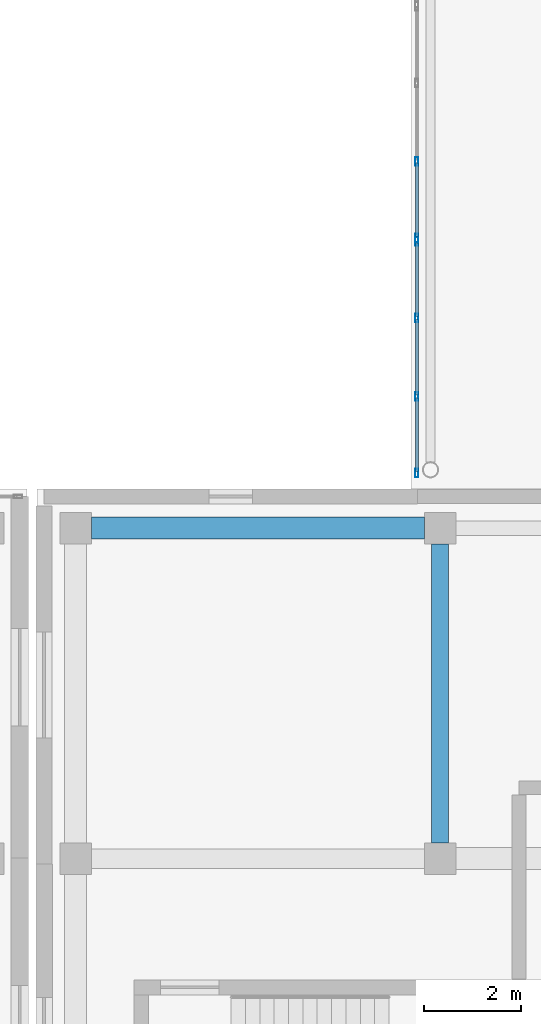
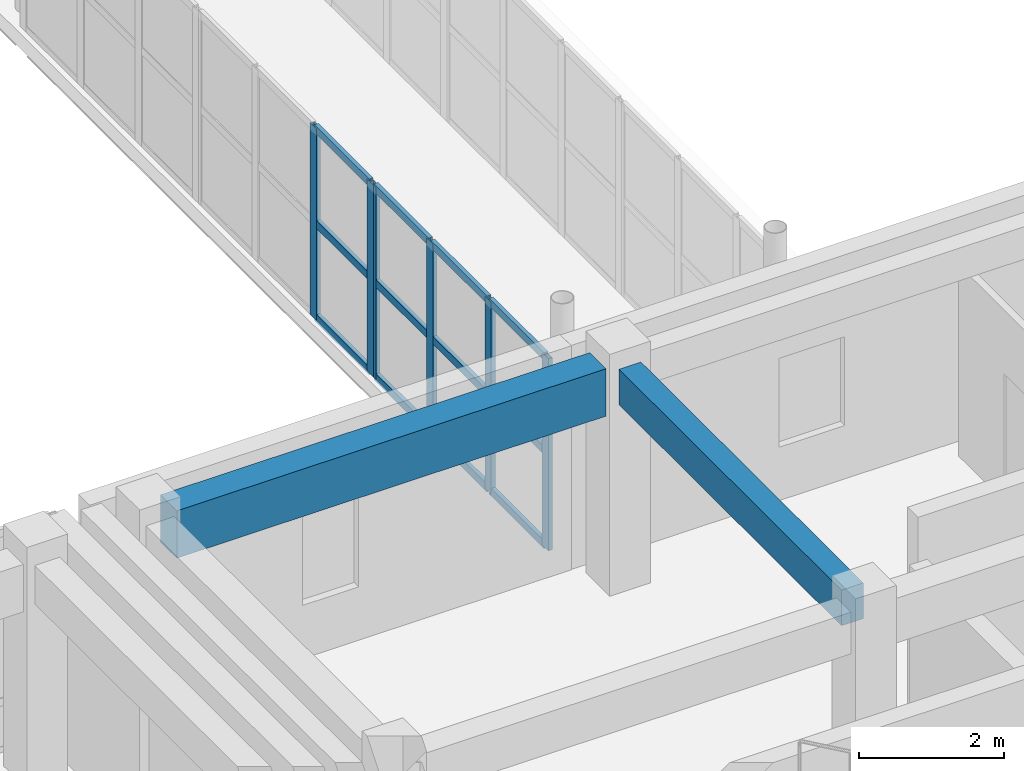
# One storey, part 32 of 146: 18 members, 2 beams, 2 elements without a shape of their own.
"""IFC4 building model written with IfcOpenShell, lengths in metres."""

from ifc_helpers import new_model, si_unit, direction, frame, origin, origin_2d, place, context, subcontext, project, spatial, rectangle, hollow_rectangle, extrude, material, layer, layer_set, material_profile, profile_set, type_object, element, aggregate, save


model = new_model("IFC4")

# Units and contexts
model_context = context("Model", 3, precision=1e-05, world=origin(), true_north=direction((0.0, 1.0)))
body_context = subcontext(model_context, "Body", "Model", "MODEL_VIEW")
ifc_project = project(units=[si_unit("LENGTHUNIT", "METRE"), si_unit("AREAUNIT", "SQUARE_METRE"), si_unit("VOLUMEUNIT", "CUBIC_METRE"), si_unit("PLANEANGLEUNIT", "RADIAN"), si_unit("MASSUNIT", "GRAM", prefix="KILO")], contexts=[model_context])

# Site, building, storey
site_placement = place(None, origin())
site = spatial("IfcSite", under=ifc_project, at=site_placement, CompositionType="ELEMENT")
building_placement = place(site_placement, origin())
building = spatial("IfcBuilding", under=site, at=building_placement, Name="Valcora Specialist Clinic", CompositionType="ELEMENT")
storey_placement = place(building_placement, frame((0.0, 0.0, 9.52001953125)))
storey = spatial("IfcBuildingStorey", under=building, at=storey_placement, Name="L02", CompositionType="ELEMENT", Elevation=9.52001953125)

# Beams
ifc_material_1 = material(Name="Concrete C40/50", Category="concrete")
ifc_material_profile_1 = material_profile(ifc_material_1, rectangle(XDim=0.35009765625, YDim=0.60009765625, at=origin_2d()), Name="RC-BM-350X600")
ifc_profile_set_1 = profile_set([ifc_material_profile_1], Name="Concrete C40/50")
beam_type_1 = type_object("IfcBeamType", Name="TY-BM-RC350X600", PredefinedType="BEAM", material=ifc_profile_set_1)
beam_1_placement = place(storey_placement, frame((61.800048828125, 15.52490234375, 3.47998046875), z_axis=(0.0, 1.0, 0.0), x_axis=(-1.0, 0.0, 0.0)))
element("IfcBeam", 1, at=beam_1_placement, inside=storey, type_object=beam_type_1, Name="Beam BM-L02-1398", PredefinedType="BEAM", context=body_context, shape_type="SweptSolid", body=[
    extrude(rectangle(XDim=0.35009765625, YDim=0.60009765625, at=origin_2d()), origin(), (0.0, 0.0, 1.0), 6.150146484375),
])
ifc_material_profile_2 = material_profile(ifc_material_1, rectangle(XDim=0.449951171875, YDim=0.800048828125, at=origin_2d()), Name="RC-BM-450X800")
ifc_profile_set_2 = profile_set([ifc_material_profile_2], Name="Concrete C40/50")
beam_type_2 = type_object("IfcBeamType", Name="TY-BM-RC450X800", PredefinedType="BEAM", material=ifc_profile_set_2)
beam_2_placement = place(storey_placement, frame((54.625, 22.0, 3.3798828125), z_axis=(1.0, 0.0, 0.0), x_axis=(0.0, 1.0, 0.0)))
element("IfcBeam", 2, at=beam_2_placement, inside=storey, type_object=beam_type_2, Name="Beam BM-L02-1386", PredefinedType="BEAM", context=body_context, shape_type="SweptSolid", body=[
    extrude(rectangle(XDim=0.449951171875, YDim=0.800048828125, at=origin_2d()), origin(), (0.0, 0.0, 1.0), 6.85009765625),
])

# Curtain wall, members
ifc_material_2 = material(Name="Anodized Bronze Aluminium 6063-T6", Category="aluminium")
ifc_layer = layer(ifc_material_2, 0.175048828125)
ifc_layer_set = layer_set([ifc_layer], Name="Anodized Bronze Aluminium 6063-T6")
curtain_wall_type = type_object("IfcCurtainWallType", Name="TY-CW-BRG14", PredefinedType="NOTDEFINED", material=ifc_layer_set)
curtain_wall_1_placement = place(storey_placement, origin())
curtain_wall_1 = element("IfcCurtainWall", 3, at=curtain_wall_1_placement, inside=storey, type_object=curtain_wall_type, Name="Curtain wall CW-L02-249", PredefinedType="NOTDEFINED")
ifc_material_profile_3 = material_profile(ifc_material_2, hollow_rectangle(XDim=0.06494140625, YDim=0.175048828125, WallThickness=0.00390625, at=origin_2d()), Name="AL-MUL-65X175")
ifc_profile_set_3 = profile_set([ifc_material_profile_3], Name="Anodized Bronze Aluminium 6063-T6")
member_type_1 = type_object("IfcMemberType", Name="TY-CWM-65X175", PredefinedType="MULLION", material=ifc_profile_set_3)
member_1_placement = place(storey_placement, frame((61.320068359375, 23.132568359375, 0.0), z_axis=(0.0, 0.0, 1.0), x_axis=(-1.0, 0.0, 0.0)))
member_1 = element("IfcMember", 4, at=member_1_placement, type_object=member_type_1, Name="CW-BRG-14 mullion 1", PredefinedType="MULLION", context=body_context, shape_type="SweptSolid", body=[
    extrude(hollow_rectangle(XDim=0.06494140625, YDim=0.175048828125, WallThickness=0.00390625, at=origin_2d()), origin(), (0.0, 0.0, 1.0), 3.239990234375),
])
member_2_placement = place(storey_placement, frame((61.320068359375, 24.711181640625, 0.0), z_axis=(0.0, 0.0, 1.0), x_axis=(-1.0, 0.0, 0.0)))
member_2 = element("IfcMember", 5, at=member_2_placement, type_object=member_type_1, Name="CW-BRG-14 mullion 2", PredefinedType="MULLION", context=body_context, shape_type="SweptSolid", body=[
    extrude(hollow_rectangle(XDim=0.06494140625, YDim=0.175048828125, WallThickness=0.00390625, at=origin_2d()), origin(), (0.0, 0.0, 1.0), 3.239990234375),
])
member_3_placement = place(storey_placement, frame((61.320068359375, 26.322265625, 0.0), z_axis=(0.0, 0.0, 1.0), x_axis=(-1.0, 0.0, 0.0)))
member_3 = element("IfcMember", 6, at=member_3_placement, type_object=member_type_1, Name="CW-BRG-14 mullion 3", PredefinedType="MULLION", context=body_context, shape_type="SweptSolid", body=[
    extrude(hollow_rectangle(XDim=0.06494140625, YDim=0.175048828125, WallThickness=0.00390625, at=origin_2d()), origin(), (0.0, 0.0, 1.0), 3.239990234375),
])
member_4_placement = place(storey_placement, frame((61.320068359375, 27.90087890625, 0.0), z_axis=(0.0, 0.0, 1.0), x_axis=(-1.0, 0.0, 0.0)))
member_4 = element("IfcMember", 7, at=member_4_placement, type_object=member_type_1, Name="CW-BRG-14 mullion 4", PredefinedType="MULLION", context=body_context, shape_type="SweptSolid", body=[
    extrude(hollow_rectangle(XDim=0.06494140625, YDim=0.175048828125, WallThickness=0.00390625, at=origin_2d()), origin(), (0.0, 0.0, 1.0), 3.239990234375),
])

curtain_wall_2_placement = place(storey_placement, origin())
curtain_wall_2 = element("IfcCurtainWall", 8, at=curtain_wall_2_placement, inside=storey, type_object=curtain_wall_type, Name="Curtain wall CW-L02-250", PredefinedType="NOTDEFINED")
member_5_placement = place(storey_placement, frame((61.320068359375, 27.9658203125, 0.0), z_axis=(0.0, 0.0, 1.0), x_axis=(-1.0, 0.0, 0.0)))
member_5 = element("IfcMember", 9, at=member_5_placement, type_object=member_type_1, Name="CW-BRG-14 mullion 1", PredefinedType="MULLION", context=body_context, shape_type="SweptSolid", body=[
    extrude(hollow_rectangle(XDim=0.06494140625, YDim=0.175048828125, WallThickness=0.00390625, at=origin_2d()), origin(), (0.0, 0.0, 1.0), 3.239990234375),
])
member_6_placement = place(storey_placement, frame((61.320068359375, 29.54443359375, 0.0), z_axis=(0.0, 0.0, 1.0), x_axis=(-1.0, 0.0, 0.0)))
member_6 = element("IfcMember", 10, at=member_6_placement, type_object=member_type_1, Name="CW-BRG-14 mullion 2", PredefinedType="MULLION", context=body_context, shape_type="SweptSolid", body=[
    extrude(hollow_rectangle(XDim=0.06494140625, YDim=0.175048828125, WallThickness=0.00390625, at=origin_2d()), origin(), (0.0, 0.0, 1.0), 3.239990234375),
])

# Member
ifc_material_profile_4 = material_profile(ifc_material_2, hollow_rectangle(XDim=0.06494140625, YDim=0.1298828125, WallThickness=0.00390625, at=origin_2d()), Name="AL-TRN-65X130")
ifc_profile_set_4 = profile_set([ifc_material_profile_4], Name="Anodized Bronze Aluminium 6063-T6")
member_type_2 = type_object("IfcMemberType", Name="TY-CWT-65X130", PredefinedType="USERDEFINED", material=ifc_profile_set_4)
member_7_placement = place(storey_placement, frame((61.320068359375, 23.1650390625, 0.032470703125), z_axis=(0.0, 1.0, 0.0), x_axis=(-1.0, 0.0, 0.0)))
member_7 = element("IfcMember", 11, at=member_7_placement, type_object=member_type_2, Name="CW-BRG-14 transom 1.1", ObjectType="TRANSOM", PredefinedType="USERDEFINED", context=body_context, shape_type="SweptSolid", body=[
    extrude(hollow_rectangle(XDim=0.06494140625, YDim=0.1298828125, WallThickness=0.00390625, at=origin_2d()), origin(), (0.0, 0.0, 1.0), 1.513671875),
])

member_8_placement = place(storey_placement, frame((61.320068359375, 23.1650390625, 1.619873046875), z_axis=(0.0, 1.0, 0.0), x_axis=(-1.0, 0.0, 0.0)))
member_8 = element("IfcMember", 12, at=member_8_placement, type_object=member_type_2, Name="CW-BRG-14 transom 1.2", ObjectType="TRANSOM", PredefinedType="USERDEFINED", context=body_context, shape_type="SweptSolid", body=[
    extrude(hollow_rectangle(XDim=0.06494140625, YDim=0.1298828125, WallThickness=0.00390625, at=origin_2d()), origin(), (0.0, 0.0, 1.0), 1.513671875),
])

member_9_placement = place(storey_placement, frame((61.320068359375, 23.1650390625, 3.20751953125), z_axis=(0.0, 1.0, 0.0), x_axis=(-1.0, 0.0, 0.0)))
member_9 = element("IfcMember", 13, at=member_9_placement, type_object=member_type_2, Name="CW-BRG-14 transom 1.3", ObjectType="TRANSOM", PredefinedType="USERDEFINED", context=body_context, shape_type="SweptSolid", body=[
    extrude(hollow_rectangle(XDim=0.06494140625, YDim=0.1298828125, WallThickness=0.00390625, at=origin_2d()), origin(), (0.0, 0.0, 1.0), 1.513671875),
])

member_10_placement = place(storey_placement, frame((61.320068359375, 24.74365234375, 0.032470703125), z_axis=(0.0, 1.0, 0.0), x_axis=(-1.0, 0.0, 0.0)))
member_10 = element("IfcMember", 14, at=member_10_placement, type_object=member_type_2, Name="CW-BRG-14 transom 2.1", ObjectType="TRANSOM", PredefinedType="USERDEFINED", context=body_context, shape_type="SweptSolid", body=[
    extrude(hollow_rectangle(XDim=0.06494140625, YDim=0.1298828125, WallThickness=0.00390625, at=origin_2d()), origin(), (0.0, 0.0, 1.0), 1.546142578125),
])

member_11_placement = place(storey_placement, frame((61.320068359375, 24.74365234375, 1.619873046875), z_axis=(0.0, 1.0, 0.0), x_axis=(-1.0, 0.0, 0.0)))
member_11 = element("IfcMember", 15, at=member_11_placement, type_object=member_type_2, Name="CW-BRG-14 transom 2.2", ObjectType="TRANSOM", PredefinedType="USERDEFINED", context=body_context, shape_type="SweptSolid", body=[
    extrude(hollow_rectangle(XDim=0.06494140625, YDim=0.1298828125, WallThickness=0.00390625, at=origin_2d()), origin(), (0.0, 0.0, 1.0), 1.546142578125),
])

member_12_placement = place(storey_placement, frame((61.320068359375, 24.74365234375, 3.20751953125), z_axis=(0.0, 1.0, 0.0), x_axis=(-1.0, 0.0, 0.0)))
member_12 = element("IfcMember", 16, at=member_12_placement, type_object=member_type_2, Name="CW-BRG-14 transom 2.3", ObjectType="TRANSOM", PredefinedType="USERDEFINED", context=body_context, shape_type="SweptSolid", body=[
    extrude(hollow_rectangle(XDim=0.06494140625, YDim=0.1298828125, WallThickness=0.00390625, at=origin_2d()), origin(), (0.0, 0.0, 1.0), 1.546142578125),
])

member_13_placement = place(storey_placement, frame((61.320068359375, 26.354736328125, 0.032470703125), z_axis=(0.0, 1.0, 0.0), x_axis=(-1.0, 0.0, 0.0)))
member_13 = element("IfcMember", 17, at=member_13_placement, type_object=member_type_2, Name="CW-BRG-14 transom 3.1", ObjectType="TRANSOM", PredefinedType="USERDEFINED", context=body_context, shape_type="SweptSolid", body=[
    extrude(hollow_rectangle(XDim=0.06494140625, YDim=0.1298828125, WallThickness=0.00390625, at=origin_2d()), origin(), (0.0, 0.0, 1.0), 1.513671875),
])

member_14_placement = place(storey_placement, frame((61.320068359375, 26.354736328125, 1.619873046875), z_axis=(0.0, 1.0, 0.0), x_axis=(-1.0, 0.0, 0.0)))
member_14 = element("IfcMember", 18, at=member_14_placement, type_object=member_type_2, Name="CW-BRG-14 transom 3.2", ObjectType="TRANSOM", PredefinedType="USERDEFINED", context=body_context, shape_type="SweptSolid", body=[
    extrude(hollow_rectangle(XDim=0.06494140625, YDim=0.1298828125, WallThickness=0.00390625, at=origin_2d()), origin(), (0.0, 0.0, 1.0), 1.513671875),
])

member_15_placement = place(storey_placement, frame((61.320068359375, 26.354736328125, 3.20751953125), z_axis=(0.0, 1.0, 0.0), x_axis=(-1.0, 0.0, 0.0)))
member_15 = element("IfcMember", 19, at=member_15_placement, type_object=member_type_2, Name="CW-BRG-14 transom 3.3", ObjectType="TRANSOM", PredefinedType="USERDEFINED", context=body_context, shape_type="SweptSolid", body=[
    extrude(hollow_rectangle(XDim=0.06494140625, YDim=0.1298828125, WallThickness=0.00390625, at=origin_2d()), origin(), (0.0, 0.0, 1.0), 1.513671875),
])

aggregate(curtain_wall_1, [member_1, member_2, member_3, member_4, member_7, member_8, member_9, member_10, member_11, member_12, member_13, member_14, member_15])

member_16_placement = place(storey_placement, frame((61.320068359375, 27.998291015625, 0.032470703125), z_axis=(0.0, 1.0, 0.0), x_axis=(-1.0, 0.0, 0.0)))
member_16 = element("IfcMember", 20, at=member_16_placement, type_object=member_type_2, Name="CW-BRG-14 transom 1.1", ObjectType="TRANSOM", PredefinedType="USERDEFINED", context=body_context, shape_type="SweptSolid", body=[
    extrude(hollow_rectangle(XDim=0.06494140625, YDim=0.1298828125, WallThickness=0.00390625, at=origin_2d()), origin(), (0.0, 0.0, 1.0), 1.513671875),
])

member_17_placement = place(storey_placement, frame((61.320068359375, 27.998291015625, 1.619873046875), z_axis=(0.0, 1.0, 0.0), x_axis=(-1.0, 0.0, 0.0)))
member_17 = element("IfcMember", 21, at=member_17_placement, type_object=member_type_2, Name="CW-BRG-14 transom 1.2", ObjectType="TRANSOM", PredefinedType="USERDEFINED", context=body_context, shape_type="SweptSolid", body=[
    extrude(hollow_rectangle(XDim=0.06494140625, YDim=0.1298828125, WallThickness=0.00390625, at=origin_2d()), origin(), (0.0, 0.0, 1.0), 1.513671875),
])

member_18_placement = place(storey_placement, frame((61.320068359375, 27.998291015625, 3.20751953125), z_axis=(0.0, 1.0, 0.0), x_axis=(-1.0, 0.0, 0.0)))
member_18 = element("IfcMember", 22, at=member_18_placement, type_object=member_type_2, Name="CW-BRG-14 transom 1.3", ObjectType="TRANSOM", PredefinedType="USERDEFINED", context=body_context, shape_type="SweptSolid", body=[
    extrude(hollow_rectangle(XDim=0.06494140625, YDim=0.1298828125, WallThickness=0.00390625, at=origin_2d()), origin(), (0.0, 0.0, 1.0), 1.513671875),
])

aggregate(curtain_wall_2, [member_5, member_6, member_16, member_17, member_18])

save(model, "model.ifc")
